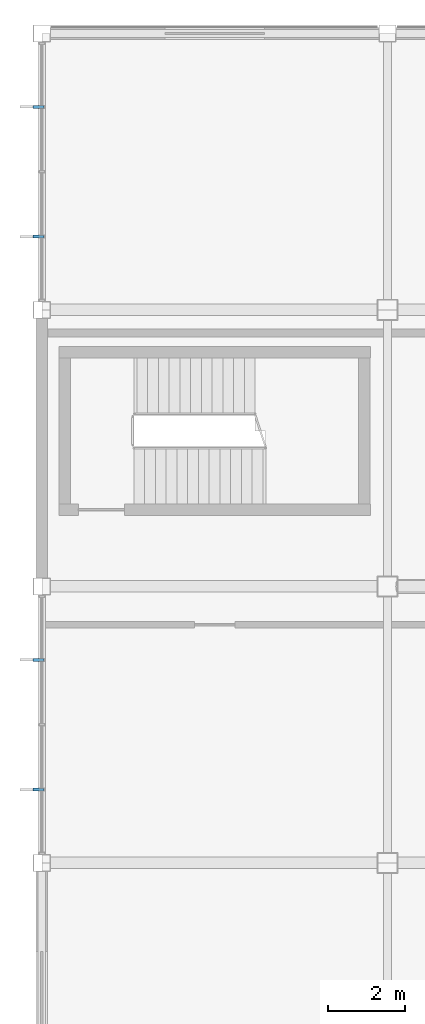
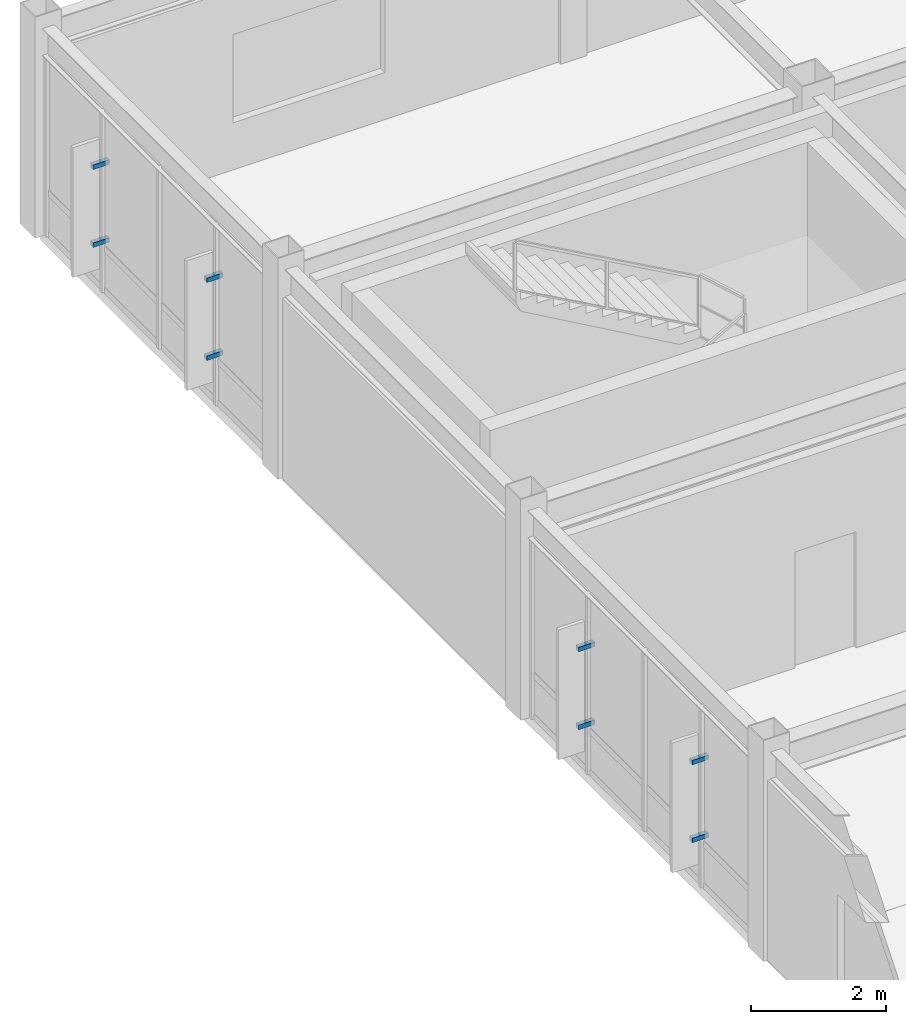
# One storey, part 112 of 122: 8 discrete accessories.
"""IFC4 building model written with IfcOpenShell, lengths in metres."""

from ifc_helpers import new_model, si_unit, direction, frame, origin, origin_2d, place, context, subcontext, project, spatial, rectangle, extrude, material, type_object, element, save


model = new_model("IFC4")

# Units and contexts
model_context = context("Model", 3, precision=1e-05, world=origin(), true_north=direction((0.0, 1.0)))
body_context = subcontext(model_context, "Body", "Model", "MODEL_VIEW")
ifc_project = project(units=[si_unit("LENGTHUNIT", "METRE"), si_unit("AREAUNIT", "SQUARE_METRE"), si_unit("VOLUMEUNIT", "CUBIC_METRE"), si_unit("PLANEANGLEUNIT", "RADIAN"), si_unit("MASSUNIT", "GRAM", prefix="KILO")], contexts=[model_context])

# Site, building, storey
site_placement = place(None, origin())
site = spatial("IfcSite", under=ifc_project, at=site_placement, CompositionType="ELEMENT")
building_placement = place(site_placement, origin())
building = spatial("IfcBuilding", under=site, at=building_placement, Name="Kazanami Central Library", CompositionType="ELEMENT")
storey_placement = place(building_placement, frame((0.0, 0.0, 4.800048828125)))
storey = spatial("IfcBuildingStorey", under=building, at=storey_placement, Name="L02", CompositionType="ELEMENT", Elevation=4.800048828125)

# Discrete accessories
ifc_material = material(Name="Stainless Steel SUS304", Category="steel")
discrete_accessory_type = type_object("IfcDiscreteAccessoryType", Name="ACC-BRK-1", PredefinedType="BRACKET", material=ifc_material)
for number, where, z_axis, x_axis, name in (
    (1, (-0.090087890625, 73.91259765625, 0.88232421875), (0.0, 0.0, 1.0), (0.0, 1.0, 0.0), "Solar Fin Outrigger Bracket L02 W-1-10.1.1"),
    (2, (-0.090087890625, 73.91259765625, 2.29248046875), (0.0, 0.0, 1.0), (0.0, 1.0, 0.0), "Solar Fin Outrigger Bracket L02 W-1-10.1.2"),
    (3, (-0.090087890625, 77.28759765625, 0.88232421875), (0.0, 0.0, 1.0), (0.0, 1.0, 0.0), "Solar Fin Outrigger Bracket L02 W-1-10.2.1"),
    (4, (-0.090087890625, 77.28759765625, 2.29248046875), (0.0, 0.0, 1.0), (0.0, 1.0, 0.0), "Solar Fin Outrigger Bracket L02 W-1-10.2.2"),
    (5, (-0.090087890625, 88.3125, 0.88232421875), (0.0, 0.0, 1.0), (0.0, 1.0, 0.0), "Solar Fin Outrigger Bracket L02 W-1-12.1.1"),
    (6, (-0.090087890625, 88.3125, 2.29248046875), (0.0, 0.0, 1.0), (0.0, 1.0, 0.0), "Solar Fin Outrigger Bracket L02 W-1-12.1.2"),
    (7, (-0.090087890625, 91.6875, 0.88232421875), (0.0, 0.0, 1.0), (0.0, 1.0, 0.0), "Solar Fin Outrigger Bracket L02 W-1-12.2.1"),
    (8, (-0.090087890625, 91.6875, 2.29248046875), (0.0, 0.0, 1.0), (0.0, 1.0, 0.0), "Solar Fin Outrigger Bracket L02 W-1-12.2.2"),
):
    element("IfcDiscreteAccessory", number, at=place(storey_placement, frame(where, z_axis=z_axis, x_axis=x_axis)), inside=storey, type_object=discrete_accessory_type, Name=name, PredefinedType="BRACKET", context=body_context, shape_type="SweptSolid", body=[
        extrude(rectangle(XDim=0.080078125, YDim=0.280029296875, at=origin_2d()), origin(), (0.0, 0.0, 1.0), 0.080078125),
    ])

save(model, "model.ifc")
